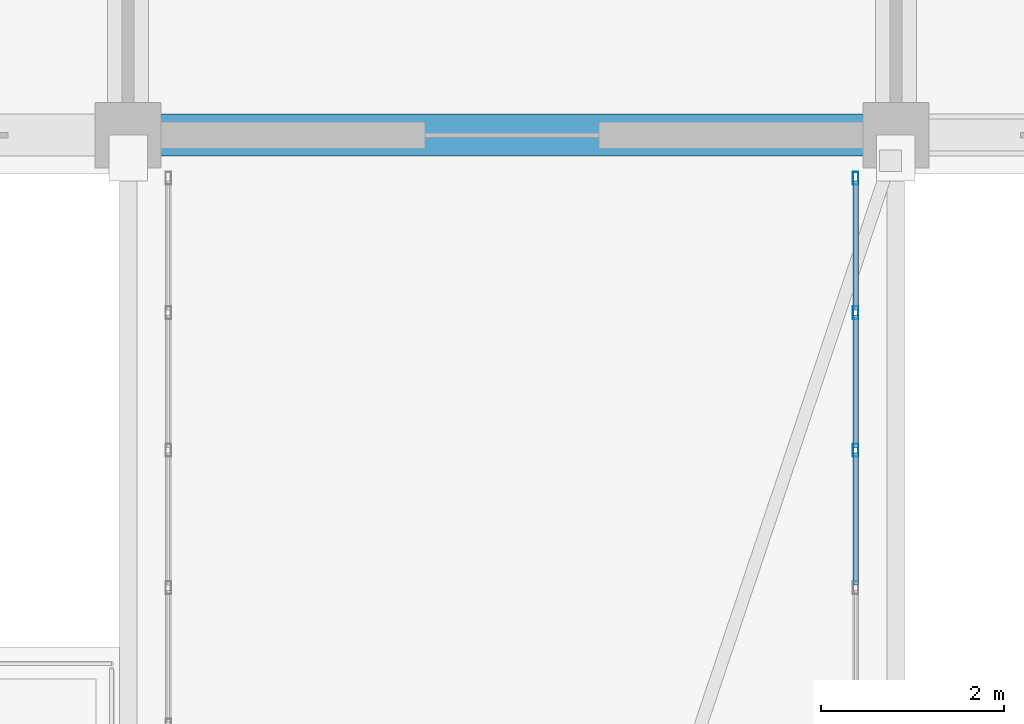
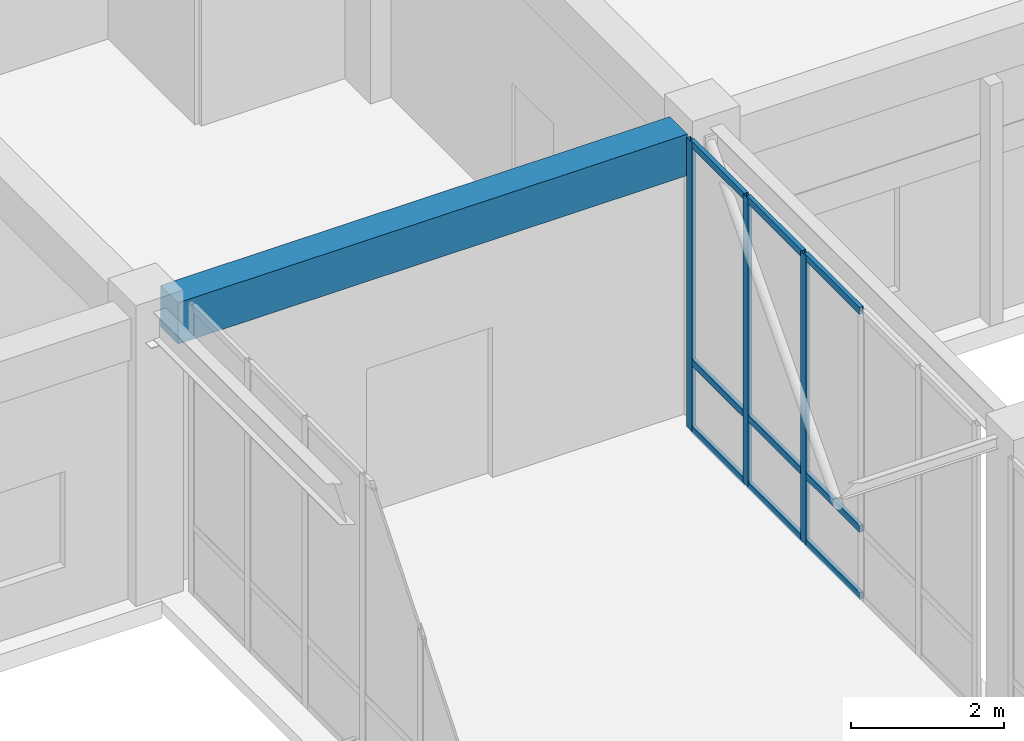
# One storey, part 77 of 158: 12 members, 1 beam, 1 element without a shape of its own.
"""IFC4 building model written with IfcOpenShell, lengths in metres."""

from ifc_helpers import new_model, si_unit, direction, frame, origin, origin_2d, place, context, subcontext, project, spatial, rectangle, hollow_rectangle, extrude, material, layer, layer_set, material_profile, profile_set, type_object, element, aggregate, save


model = new_model("IFC4")

# Units and contexts
model_context = context("Model", 3, precision=1e-05, world=origin(), true_north=direction((0.0, 1.0)))
body_context = subcontext(model_context, "Body", "Model", "MODEL_VIEW")
ifc_project = project(units=[si_unit("LENGTHUNIT", "METRE"), si_unit("AREAUNIT", "SQUARE_METRE"), si_unit("VOLUMEUNIT", "CUBIC_METRE"), si_unit("PLANEANGLEUNIT", "RADIAN"), si_unit("MASSUNIT", "GRAM", prefix="KILO")], contexts=[model_context])

# Site, building, storey
site_placement = place(None, origin())
site = spatial("IfcSite", under=ifc_project, at=site_placement, CompositionType="ELEMENT")
building_placement = place(site_placement, origin())
building = spatial("IfcBuilding", under=site, at=building_placement, Name="Trelvath General Hospital", CompositionType="ELEMENT")
storey_placement = place(building_placement, frame((0.0, 0.0, 8.10009765625)))
storey = spatial("IfcBuildingStorey", under=building, at=storey_placement, Name="L02", CompositionType="ELEMENT", Elevation=8.10009765625)

# Beam
ifc_material_1 = material(Name="Concrete C35/45", Category="concrete")
ifc_material_profile_1 = material_profile(ifc_material_1, rectangle(XDim=0.4599609375, YDim=0.659912109375, at=origin_2d()), Name="RCB460x660")
ifc_profile_set_1 = profile_set([ifc_material_profile_1], Name="Concrete C35/45")
beam_type = type_object("IfcBeamType", Name="Beam RC460x660", PredefinedType="BEAM", material=ifc_profile_set_1)
beam_placement = place(storey_placement, frame((75.955078125, 92.39990234375, 4.18994140625), z_axis=(1.0, 0.0, 0.0), x_axis=(0.0, 1.0, 0.0)))
element("IfcBeam", 1, at=beam_placement, inside=storey, type_object=beam_type, Name="Grid Beam BX-209L", PredefinedType="BEAM", context=body_context, shape_type="SweptSolid", body=[
    extrude(rectangle(XDim=0.4599609375, YDim=0.659912109375, at=origin_2d()), origin(), (0.0, 0.0, 1.0), 7.68994140625),
])

# Curtain wall, members
ifc_material_2 = material(Name="Anodised aluminium and low-E glass", Category="aluminium")
ifc_layer = layer(ifc_material_2, 0.139892578125)
ifc_layer_set = layer_set([ifc_layer], Name="Anodised aluminium and low-E glass")
curtain_wall_type = type_object("IfcCurtainWallType", Name="CW Bridge 752 461", PredefinedType="USERDEFINED", material=ifc_layer_set)
curtain_wall_placement = place(storey_placement, origin())
curtain_wall = element("IfcCurtainWall", 2, at=curtain_wall_placement, inside=storey, type_object=curtain_wall_type, Name="Glazed Bridge Curtain Wall BRG-N-C E L02", ObjectType="Unitised Glazed Curtain Wall", PredefinedType="USERDEFINED")
ifc_material_3 = material(Name="Anodised aluminium", Category="aluminium")
ifc_material_profile_2 = material_profile(ifc_material_3, hollow_rectangle(XDim=0.06005859375, YDim=0.139892578125, WallThickness=0.00390625, at=origin_2d()), Name="RHS60x140x4")
ifc_profile_set_2 = profile_set([ifc_material_profile_2], Name="Anodised aluminium")
member_type_1 = type_object("IfcMemberType", Name="CurtainMullion 60x140", PredefinedType="MULLION", material=ifc_profile_set_2)
member_1_placement = place(storey_placement, frame((83.56005859375, 91.929931640625, 0.0), z_axis=(0.0, 0.0, 1.0), x_axis=(1.0, 0.0, 0.0)))
member_1 = element("IfcMember", 3, at=member_1_placement, type_object=member_type_1, Name="CW-225 mullion 1", PredefinedType="MULLION", context=body_context, shape_type="SweptSolid", body=[
    extrude(hollow_rectangle(XDim=0.06005859375, YDim=0.139892578125, WallThickness=0.00390625, at=origin_2d()), origin(), (0.0, 0.0, 1.0), 4.60986328125),
])
member_2_placement = place(storey_placement, frame((83.56005859375, 90.4560546875, 0.0), z_axis=(0.0, 0.0, 1.0), x_axis=(1.0, 0.0, 0.0)))
member_2 = element("IfcMember", 4, at=member_2_placement, type_object=member_type_1, Name="CW-225 mullion 2", PredefinedType="MULLION", context=body_context, shape_type="SweptSolid", body=[
    extrude(hollow_rectangle(XDim=0.06005859375, YDim=0.139892578125, WallThickness=0.00390625, at=origin_2d()), origin(), (0.0, 0.0, 1.0), 4.60986328125),
])
member_3_placement = place(storey_placement, frame((83.56005859375, 88.951904296875, 0.0), z_axis=(0.0, 0.0, 1.0), x_axis=(1.0, 0.0, 0.0)))
member_3 = element("IfcMember", 5, at=member_3_placement, type_object=member_type_1, Name="CW-225 mullion 3", PredefinedType="MULLION", context=body_context, shape_type="SweptSolid", body=[
    extrude(hollow_rectangle(XDim=0.06005859375, YDim=0.139892578125, WallThickness=0.00390625, at=origin_2d()), origin(), (0.0, 0.0, 1.0), 4.60986328125),
])
ifc_material_4 = material(Name="Anodised aluminium", Category="aluminium")
ifc_material_profile_3 = material_profile(ifc_material_4, hollow_rectangle(XDim=0.06005859375, YDim=0.110107421875, WallThickness=0.00390625, at=origin_2d()), Name="RHS60x110x4")
ifc_profile_set_3 = profile_set([ifc_material_profile_3], Name="Anodised aluminium")
member_type_2 = type_object("IfcMemberType", Name="CurtainTransom 60x110", PredefinedType="USERDEFINED", material=ifc_profile_set_3)
member_4_placement = place(storey_placement, frame((83.56005859375, 91.89990234375, 0.02978515625), z_axis=(0.0, -1.0, 0.0), x_axis=(1.0, 0.0, 0.0)))
member_4 = element("IfcMember", 6, at=member_4_placement, type_object=member_type_2, Name="CW-225 transom 1.1", ObjectType="TRANSOM", PredefinedType="USERDEFINED", context=body_context, shape_type="SweptSolid", body=[
    extrude(hollow_rectangle(XDim=0.06005859375, YDim=0.110107421875, WallThickness=0.00390625, at=origin_2d()), origin(), (0.0, 0.0, 1.0), 1.413818359375),
])
member_5_placement = place(storey_placement, frame((83.56005859375, 91.89990234375, 1.099853515625), z_axis=(0.0, -1.0, 0.0), x_axis=(1.0, 0.0, 0.0)))
member_5 = element("IfcMember", 7, at=member_5_placement, type_object=member_type_2, Name="CW-225 transom 1.2", ObjectType="TRANSOM", PredefinedType="USERDEFINED", context=body_context, shape_type="SweptSolid", body=[
    extrude(hollow_rectangle(XDim=0.06005859375, YDim=0.110107421875, WallThickness=0.00390625, at=origin_2d()), origin(), (0.0, 0.0, 1.0), 1.413818359375),
])
member_6_placement = place(storey_placement, frame((83.56005859375, 91.89990234375, 4.579833984375), z_axis=(0.0, -1.0, 0.0), x_axis=(1.0, 0.0, 0.0)))
member_6 = element("IfcMember", 8, at=member_6_placement, type_object=member_type_2, Name="CW-225 transom 1.3", ObjectType="TRANSOM", PredefinedType="USERDEFINED", context=body_context, shape_type="SweptSolid", body=[
    extrude(hollow_rectangle(XDim=0.06005859375, YDim=0.110107421875, WallThickness=0.00390625, at=origin_2d()), origin(), (0.0, 0.0, 1.0), 1.413818359375),
])
member_7_placement = place(storey_placement, frame((83.56005859375, 90.426025390625, 0.02978515625), z_axis=(0.0, -1.0, 0.0), x_axis=(1.0, 0.0, 0.0)))
member_7 = element("IfcMember", 9, at=member_7_placement, type_object=member_type_2, Name="CW-225 transom 2.1", ObjectType="TRANSOM", PredefinedType="USERDEFINED", context=body_context, shape_type="SweptSolid", body=[
    extrude(hollow_rectangle(XDim=0.06005859375, YDim=0.110107421875, WallThickness=0.00390625, at=origin_2d()), origin(), (0.0, 0.0, 1.0), 1.444091796875),
])
member_8_placement = place(storey_placement, frame((83.56005859375, 90.426025390625, 1.099853515625), z_axis=(0.0, -1.0, 0.0), x_axis=(1.0, 0.0, 0.0)))
member_8 = element("IfcMember", 10, at=member_8_placement, type_object=member_type_2, Name="CW-225 transom 2.2", ObjectType="TRANSOM", PredefinedType="USERDEFINED", context=body_context, shape_type="SweptSolid", body=[
    extrude(hollow_rectangle(XDim=0.06005859375, YDim=0.110107421875, WallThickness=0.00390625, at=origin_2d()), origin(), (0.0, 0.0, 1.0), 1.444091796875),
])
member_9_placement = place(storey_placement, frame((83.56005859375, 90.426025390625, 4.579833984375), z_axis=(0.0, -1.0, 0.0), x_axis=(1.0, 0.0, 0.0)))
member_9 = element("IfcMember", 11, at=member_9_placement, type_object=member_type_2, Name="CW-225 transom 2.3", ObjectType="TRANSOM", PredefinedType="USERDEFINED", context=body_context, shape_type="SweptSolid", body=[
    extrude(hollow_rectangle(XDim=0.06005859375, YDim=0.110107421875, WallThickness=0.00390625, at=origin_2d()), origin(), (0.0, 0.0, 1.0), 1.444091796875),
])
member_10_placement = place(storey_placement, frame((83.56005859375, 88.922119140625, 0.02978515625), z_axis=(0.0, -1.0, 0.0), x_axis=(1.0, 0.0, 0.0)))
member_10 = element("IfcMember", 12, at=member_10_placement, type_object=member_type_2, Name="CW-225 transom 3.1", ObjectType="TRANSOM", PredefinedType="USERDEFINED", context=body_context, shape_type="SweptSolid", body=[
    extrude(hollow_rectangle(XDim=0.06005859375, YDim=0.110107421875, WallThickness=0.00390625, at=origin_2d()), origin(), (0.0, 0.0, 1.0), 1.444091796875),
])
member_11_placement = place(storey_placement, frame((83.56005859375, 88.922119140625, 1.099853515625), z_axis=(0.0, -1.0, 0.0), x_axis=(1.0, 0.0, 0.0)))
member_11 = element("IfcMember", 13, at=member_11_placement, type_object=member_type_2, Name="CW-225 transom 3.2", ObjectType="TRANSOM", PredefinedType="USERDEFINED", context=body_context, shape_type="SweptSolid", body=[
    extrude(hollow_rectangle(XDim=0.06005859375, YDim=0.110107421875, WallThickness=0.00390625, at=origin_2d()), origin(), (0.0, 0.0, 1.0), 1.444091796875),
])
member_12_placement = place(storey_placement, frame((83.56005859375, 88.922119140625, 4.579833984375), z_axis=(0.0, -1.0, 0.0), x_axis=(1.0, 0.0, 0.0)))
member_12 = element("IfcMember", 14, at=member_12_placement, type_object=member_type_2, Name="CW-225 transom 3.3", ObjectType="TRANSOM", PredefinedType="USERDEFINED", context=body_context, shape_type="SweptSolid", body=[
    extrude(hollow_rectangle(XDim=0.06005859375, YDim=0.110107421875, WallThickness=0.00390625, at=origin_2d()), origin(), (0.0, 0.0, 1.0), 1.444091796875),
])
aggregate(curtain_wall, [member_1, member_2, member_3, member_4, member_5, member_6, member_7, member_8, member_9, member_10, member_11, member_12])

save(model, "model.ifc")
